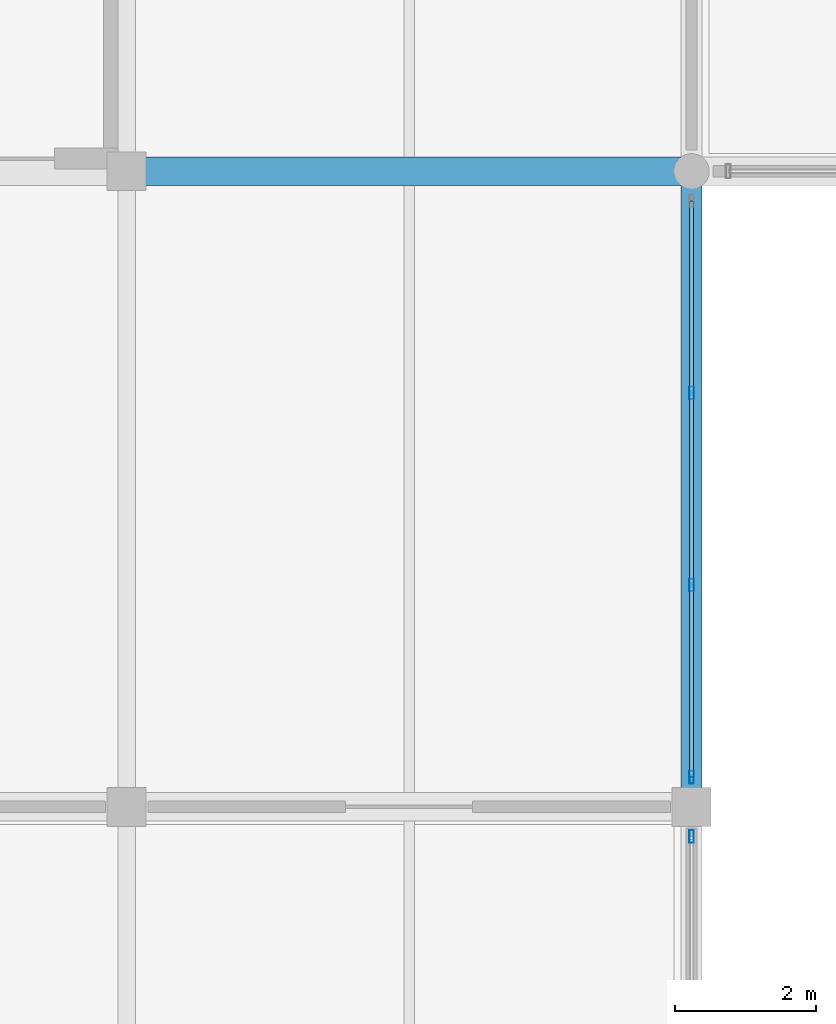
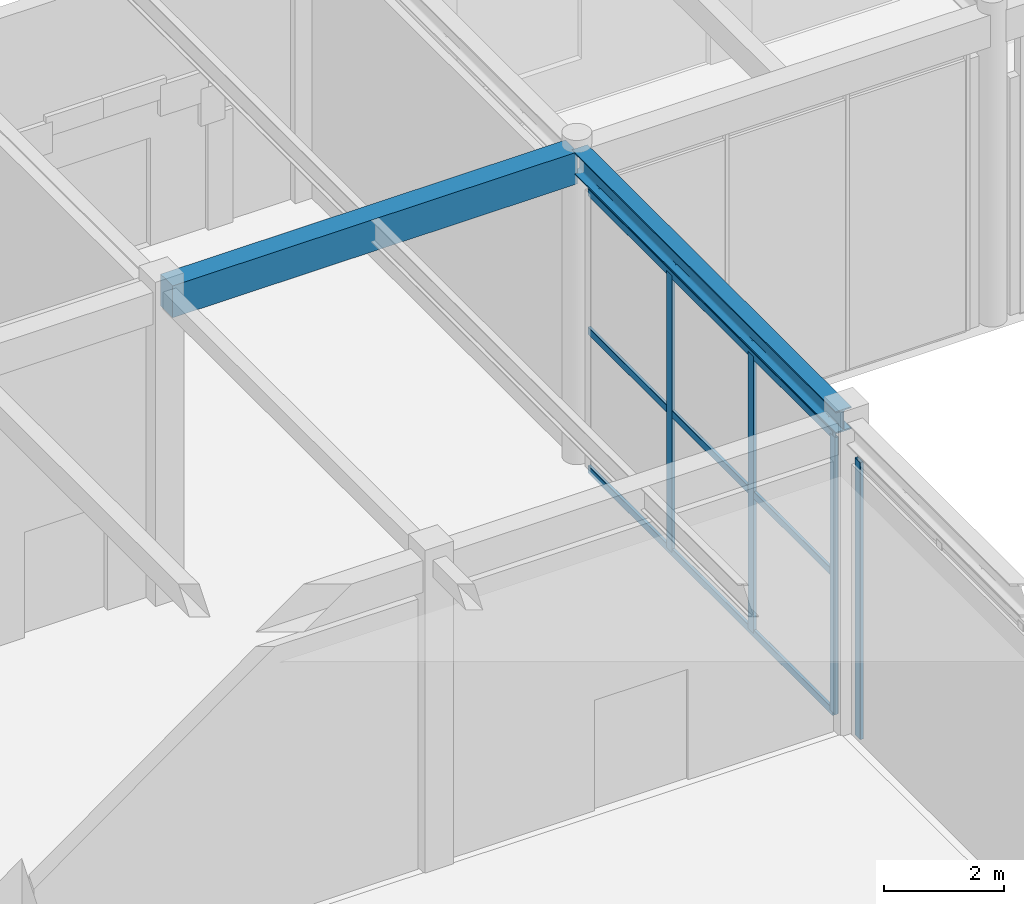
# One storey, part 71 of 163: 7 members, 2 beams, 2 elements without a shape of their own.
"""IFC4 building model written with IfcOpenShell, lengths in metres."""

from ifc_helpers import new_model, si_unit, direction, frame, origin, origin_2d, place, context, subcontext, project, spatial, rectangle, hollow_rectangle, i_section, extrude, material, material_profile, profile_set, type_object, element, aggregate, save


model = new_model("IFC4")

# Units and contexts
model_context = context("Model", 3, precision=1e-05, world=origin(), true_north=direction((0.0, 1.0)))
body_context = subcontext(model_context, "Body", "Model", "MODEL_VIEW")
ifc_project = project(units=[si_unit("LENGTHUNIT", "METRE"), si_unit("AREAUNIT", "SQUARE_METRE"), si_unit("VOLUMEUNIT", "CUBIC_METRE"), si_unit("PLANEANGLEUNIT", "RADIAN"), si_unit("MASSUNIT", "GRAM", prefix="KILO")], contexts=[model_context])

# Site, building, storey
site_placement = place(None, origin())
site = spatial("IfcSite", under=ifc_project, at=site_placement, CompositionType="ELEMENT")
building_placement = place(site_placement, origin())
building = spatial("IfcBuilding", under=site, at=building_placement, Name="Varnabhumi Central Station", CompositionType="ELEMENT")
storey_placement = place(building_placement, frame((0.0, 0.0, 9.60009765625)))
storey = spatial("IfcBuildingStorey", under=building, at=storey_placement, Name="L02", CompositionType="ELEMENT", Elevation=9.60009765625)

# Beams
ifc_material_1 = material(Name="Concrete M40", Category="concrete")
ifc_material_profile_1 = material_profile(ifc_material_1, rectangle(XDim=0.39990234375, YDim=0.64990234375, at=origin_2d()), Name="Concrete M40", Category="concrete")
ifc_profile_set_1 = profile_set([ifc_material_profile_1], Name="Concrete M40")
beam_type_1 = type_object("IfcBeamType", Name="BM-RC-400x650", PredefinedType="BEAM", material=ifc_profile_set_1)
beam_1_placement = place(storey_placement, frame((40.10009765625, 107.0, 6.02490234375), z_axis=(1.0, 0.0, 0.0), x_axis=(0.0, 1.0, 0.0)))
element("IfcBeam", 1, at=beam_1_placement, inside=storey, type_object=beam_type_1, Name="Beam L02-N:6-7", PredefinedType="BEAM", context=body_context, shape_type="SweptSolid", body=[
    extrude(rectangle(XDim=0.39990234375, YDim=0.64990234375, at=origin_2d()), origin(), (0.0, 0.0, 1.0), 7.7998046875),
])
ifc_material_2 = material(Name="Structural steel E350", Category="steel")
ifc_material_profile_2 = material_profile(ifc_material_2, i_section(OverallWidth=0.300048828125, OverallDepth=0.449951171875, WebThickness=0.013916015625, FlangeThickness=0.02587890625, FilletRadius=0.027099609375, at=origin_2d()), Name="Structural steel E350", Category="steel")
ifc_profile_set_2 = profile_set([ifc_material_profile_2], Name="Structural steel E350")
beam_type_2 = type_object("IfcBeamType", Name="BM-STL-WPB450", PredefinedType="BEAM", material=ifc_profile_set_2)
beam_2_placement = place(storey_placement, frame((48.0, 98.10009765625, 6.125), z_axis=(0.0, 1.0, 0.0), x_axis=(-1.0, 0.0, 0.0)))
element("IfcBeam", 2, at=beam_2_placement, inside=storey, type_object=beam_type_2, Name="Beam L02-7:M-N", PredefinedType="BEAM", context=body_context, shape_type="SweptSolid", body=[
    extrude(i_section(OverallWidth=0.300048828125, OverallDepth=0.449951171875, WebThickness=0.013916015625, FlangeThickness=0.02587890625, FilletRadius=0.027099609375, at=origin_2d()), origin(), (0.0, 0.0, 1.0), 8.7998046875),
])

# Curtain wall, member
ifc_material_3 = material(Name="Anodised aluminium 6063-T6", Category="aluminium")
curtain_wall_type = type_object("IfcCurtainWallType", Name="CW-PATIO-LOGGIA-L2", PredefinedType="NOTDEFINED", material=ifc_material_3)
curtain_wall_1_placement = place(storey_placement, origin())
curtain_wall_1 = element("IfcCurtainWall", 3, at=curtain_wall_1_placement, inside=storey, type_object=curtain_wall_type, Name="Curtain Wall CW-NP2E1", PredefinedType="NOTDEFINED")
ifc_material_profile_3 = material_profile(ifc_material_3, hollow_rectangle(XDim=0.06494140625, YDim=0.179931640625, WallThickness=0.00390625, InnerFilletRadius=0.001953125, OuterFilletRadius=0.006103515625, at=origin_2d()), Name="Anodised aluminium 6063-T6", Category="aluminium")
ifc_profile_set_3 = profile_set([ifc_material_profile_3], Name="Anodised aluminium 6063-T6")
member_type_1 = type_object("IfcMemberType", Name="CW-MUL-180", PredefinedType="MULLION", material=ifc_profile_set_3)
member_1_placement = place(storey_placement, frame((48.0, 97.580078125, 0.0), z_axis=(0.0, 0.0, 1.0), x_axis=(1.0, 0.0, 0.0)))
member_1 = element("IfcMember", 4, at=member_1_placement, type_object=member_type_1, Name="Curtain Wall Mullion CW-NP2E1-M4", PredefinedType="MULLION", context=body_context, shape_type="SweptSolid", body=[
    extrude(hollow_rectangle(XDim=0.06494140625, YDim=0.179931640625, WallThickness=0.00390625, InnerFilletRadius=0.001953125, OuterFilletRadius=0.006103515625, at=origin_2d()), origin(), (0.0, 0.0, 1.0), 5.639892578125),
])
aggregate(curtain_wall_1, [member_1])

# Curtain wall, members
curtain_wall_2_placement = place(storey_placement, origin())
curtain_wall_2 = element("IfcCurtainWall", 5, at=curtain_wall_2_placement, inside=storey, type_object=curtain_wall_type, Name="Curtain Wall CW-NP2E2", PredefinedType="NOTDEFINED")
member_2_placement = place(storey_placement, frame((48.0, 98.419921875, 0.0), z_axis=(0.0, 0.0, 1.0), x_axis=(1.0, 0.0, 0.0)))
member_2 = element("IfcMember", 6, at=member_2_placement, type_object=member_type_1, Name="Curtain Wall Mullion CW-NP2E2-M1", PredefinedType="MULLION", context=body_context, shape_type="SweptSolid", body=[
    extrude(hollow_rectangle(XDim=0.06494140625, YDim=0.179931640625, WallThickness=0.00390625, InnerFilletRadius=0.001953125, OuterFilletRadius=0.006103515625, at=origin_2d()), origin(), (0.0, 0.0, 1.0), 5.639892578125),
])
member_3_placement = place(storey_placement, frame((48.0, 101.139892578125, 0.0), z_axis=(0.0, 0.0, 1.0), x_axis=(1.0, 0.0, 0.0)))
member_3 = element("IfcMember", 7, at=member_3_placement, type_object=member_type_1, Name="Curtain Wall Mullion CW-NP2E2-M2", PredefinedType="MULLION", context=body_context, shape_type="SweptSolid", body=[
    extrude(hollow_rectangle(XDim=0.06494140625, YDim=0.179931640625, WallThickness=0.00390625, InnerFilletRadius=0.001953125, OuterFilletRadius=0.006103515625, at=origin_2d()), origin(), (0.0, 0.0, 1.0), 5.639892578125),
])
member_4_placement = place(storey_placement, frame((48.0, 103.860107421875, 0.0), z_axis=(0.0, 0.0, 1.0), x_axis=(1.0, 0.0, 0.0)))
member_4 = element("IfcMember", 8, at=member_4_placement, type_object=member_type_1, Name="Curtain Wall Mullion CW-NP2E2-M3", PredefinedType="MULLION", context=body_context, shape_type="SweptSolid", body=[
    extrude(hollow_rectangle(XDim=0.06494140625, YDim=0.179931640625, WallThickness=0.00390625, InnerFilletRadius=0.001953125, OuterFilletRadius=0.006103515625, at=origin_2d()), origin(), (0.0, 0.0, 1.0), 5.639892578125),
])
ifc_material_profile_4 = material_profile(ifc_material_3, hollow_rectangle(XDim=0.06005859375, YDim=0.14990234375, WallThickness=0.00390625, InnerFilletRadius=0.001953125, OuterFilletRadius=0.006103515625, at=origin_2d()), Name="Anodised aluminium 6063-T6", Category="aluminium")
ifc_profile_set_4 = profile_set([ifc_material_profile_4], Name="Anodised aluminium 6063-T6")
member_type_2 = type_object("IfcMemberType", Name="CW-TR-150", PredefinedType="USERDEFINED", material=ifc_profile_set_4)
member_5_placement = place(storey_placement, frame((48.0, 98.419921875, 0.0), z_axis=(0.0, 1.0, 0.0), x_axis=(-1.0, 0.0, 0.0)))
member_5 = element("IfcMember", 9, at=member_5_placement, type_object=member_type_2, Name="Curtain Wall Transom CW-NP2E2-T1", ObjectType="TRANSOM", PredefinedType="USERDEFINED", context=body_context, shape_type="SweptSolid", body=[
    extrude(hollow_rectangle(XDim=0.06005859375, YDim=0.14990234375, WallThickness=0.00390625, InnerFilletRadius=0.001953125, OuterFilletRadius=0.006103515625, at=origin_2d()), origin(), (0.0, 0.0, 1.0), 8.16015625),
])
member_6_placement = place(storey_placement, frame((48.0, 98.419921875, 2.81982421875), z_axis=(0.0, 1.0, 0.0), x_axis=(-1.0, 0.0, 0.0)))
member_6 = element("IfcMember", 10, at=member_6_placement, type_object=member_type_2, Name="Curtain Wall Transom CW-NP2E2-T2", ObjectType="TRANSOM", PredefinedType="USERDEFINED", context=body_context, shape_type="SweptSolid", body=[
    extrude(hollow_rectangle(XDim=0.06005859375, YDim=0.14990234375, WallThickness=0.00390625, InnerFilletRadius=0.001953125, OuterFilletRadius=0.006103515625, at=origin_2d()), origin(), (0.0, 0.0, 1.0), 8.16015625),
])
member_7_placement = place(storey_placement, frame((48.0, 98.419921875, 5.639892578125), z_axis=(0.0, 1.0, 0.0), x_axis=(-1.0, 0.0, 0.0)))
member_7 = element("IfcMember", 11, at=member_7_placement, type_object=member_type_2, Name="Curtain Wall Transom CW-NP2E2-T3", ObjectType="TRANSOM", PredefinedType="USERDEFINED", context=body_context, shape_type="SweptSolid", body=[
    extrude(hollow_rectangle(XDim=0.06005859375, YDim=0.14990234375, WallThickness=0.00390625, InnerFilletRadius=0.001953125, OuterFilletRadius=0.006103515625, at=origin_2d()), origin(), (0.0, 0.0, 1.0), 8.16015625),
])
aggregate(curtain_wall_2, [member_2, member_3, member_4, member_5, member_6, member_7])

save(model, "model.ifc")
